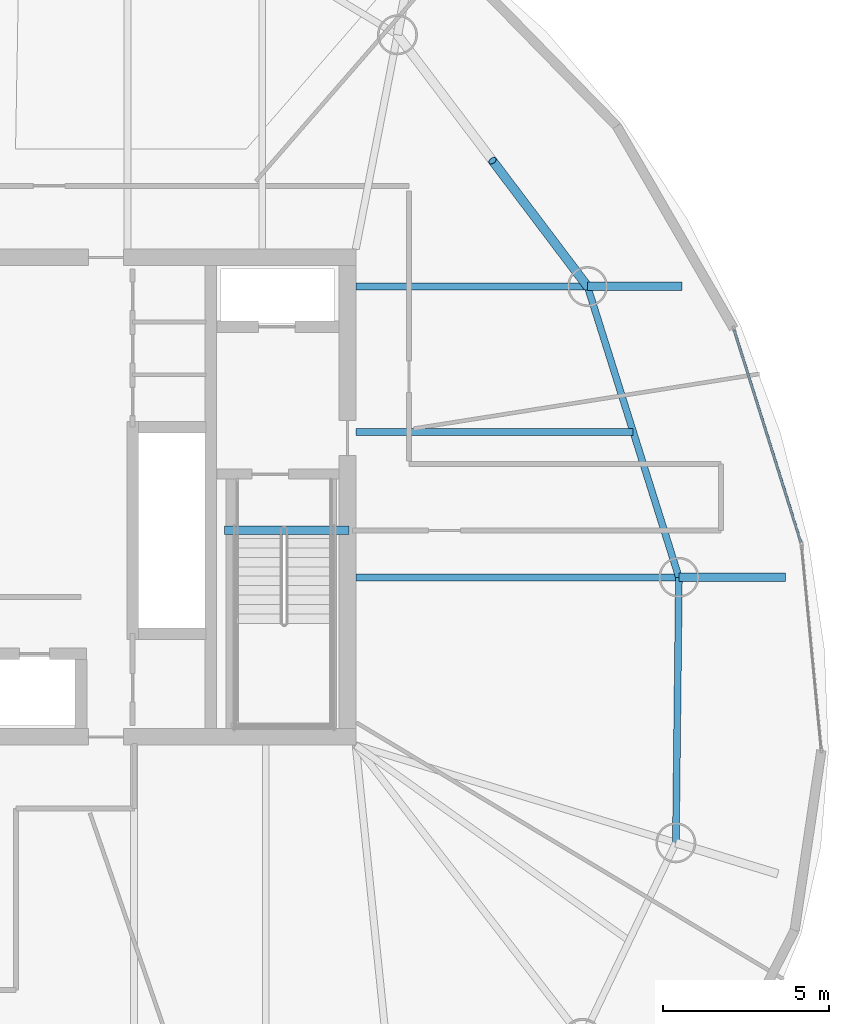
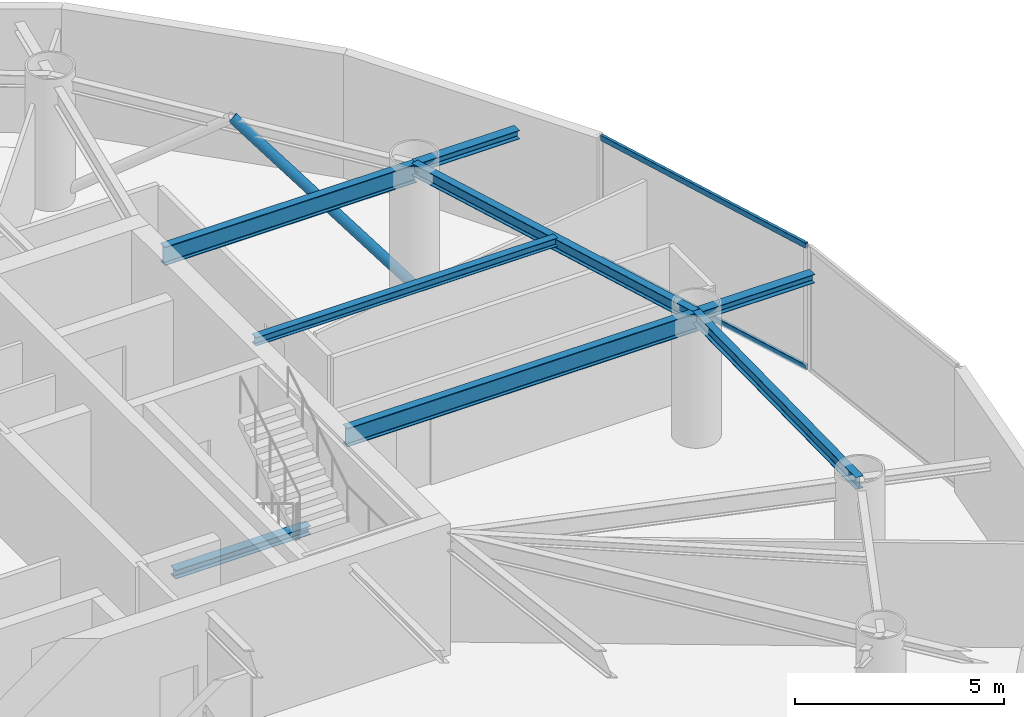
# One storey, part 8 of 18: 8 beams, 3 members, 1 element without a shape of its own.
"""IFC4 building model written with IfcOpenShell, lengths in metres."""

from ifc_helpers import new_model, si_unit, direction, frame, origin, origin_2d, place, context, subcontext, project, spatial, hollow_rectangle, hollow_circle, i_section, extrude, material, layer, layer_set, material_profile, profile_set, type_object, element, aggregate, save


model = new_model("IFC4")

# Units and contexts
model_context = context("Model", 3, precision=1e-05, world=origin(), true_north=direction((0.0, 1.0)))
body_context = subcontext(model_context, "Body", "Model", "MODEL_VIEW")
ifc_project = project(units=[si_unit("LENGTHUNIT", "METRE"), si_unit("AREAUNIT", "SQUARE_METRE"), si_unit("VOLUMEUNIT", "CUBIC_METRE"), si_unit("PLANEANGLEUNIT", "RADIAN"), si_unit("MASSUNIT", "GRAM", prefix="KILO")], contexts=[model_context])

# Site, building, storey
site_placement = place(None, origin())
site = spatial("IfcSite", under=ifc_project, at=site_placement, CompositionType="ELEMENT")
building_placement = place(site_placement, origin())
building = spatial("IfcBuilding", under=site, at=building_placement, Name="Bramvorn Convention Spire", CompositionType="ELEMENT")
storey_placement = place(building_placement, frame((0.0, 0.0, 182.75)))
storey = spatial("IfcBuildingStorey", under=building, at=storey_placement, Name="L46", CompositionType="ELEMENT", Elevation=182.75)

# Beams
ifc_material_1 = material(Name="Steel CSA G40.21 Grade 350 (350W)", Category="steel")
ifc_material_profile_1 = material_profile(ifc_material_1, i_section(OverallWidth=0.201904296875, OverallDepth=0.2470703125, WebThickness=0.00732421875, FlangeThickness=0.010986328125, FilletRadius=0.011962890625, at=origin_2d()))
ifc_profile_set_1 = profile_set([ifc_material_profile_1], Name="Steel CSA G40.21 Grade 350 (350W) - W250X49")
beam_type_1 = type_object("IfcBeamType", Name="BM-W250X49", PredefinedType="JOIST", material=ifc_profile_set_1)
beam_1_placement = place(storey_placement, frame((49.25, 27.960205078125, 3.49658203125), z_axis=(1.0, 0.0, 0.0), x_axis=(0.0, 1.0, 0.0)))
element("IfcBeam", 1, at=beam_1_placement, inside=storey, type_object=beam_type_1, Name="L46 composite floor joist 03", PredefinedType="JOIST", context=body_context, shape_type="SweptSolid", body=[
    extrude(i_section(OverallWidth=0.201904296875, OverallDepth=0.2470703125, WebThickness=0.00732421875, FlangeThickness=0.010986328125, FilletRadius=0.011962890625, at=origin_2d()), origin(), (0.0, 0.0, 1.0), 8.33251953125),
])
ifc_material_profile_2 = material_profile(ifc_material_1, i_section(OverallWidth=0.25390625, OverallDepth=0.2529296875, WebThickness=0.008544921875, FlangeThickness=0.01416015625, FilletRadius=0.011962890625, at=origin_2d()))
ifc_profile_set_2 = profile_set([ifc_material_profile_2], Name="Steel CSA G40.21 Grade 350 (350W) - W250X73")
beam_type_2 = type_object("IfcBeamType", Name="BM-W250X73", PredefinedType="BEAM", material=ifc_profile_set_2)
beam_2_placement = place(storey_placement, frame((58.95458984375, 23.593505859375, 3.493408203125), z_axis=(1.0, 0.0, 0.0), x_axis=(0.0, 1.0, 0.0)))
element("IfcBeam", 2, at=beam_2_placement, inside=storey, type_object=beam_type_2, Name="L46 slab-edge cantilever tip beam MC03", PredefinedType="BEAM", context=body_context, shape_type="SweptSolid", body=[
    extrude(i_section(OverallWidth=0.25390625, OverallDepth=0.2529296875, WebThickness=0.008544921875, FlangeThickness=0.01416015625, FilletRadius=0.011962890625, at=origin_2d()), origin(), (0.0, 0.0, 1.0), 3.2001953125),
])
beam_3_placement = place(storey_placement, frame((56.21044921875, 32.327392578125, 3.493408203125), z_axis=(1.0, 0.0, 0.0), x_axis=(0.0, 1.0, 0.0)))
element("IfcBeam", 3, at=beam_3_placement, inside=storey, type_object=beam_type_2, Name="L46 slab-edge cantilever tip beam MC04", PredefinedType="BEAM", context=body_context, shape_type="SweptSolid", body=[
    extrude(i_section(OverallWidth=0.25390625, OverallDepth=0.2529296875, WebThickness=0.008544921875, FlangeThickness=0.01416015625, FilletRadius=0.011962890625, at=origin_2d()), origin(), (0.0, 0.0, 1.0), 2.833251953125),
])
beam_4_placement = place(storey_placement, frame((45.31005859375, 25.010009765625, -0.12646484375), z_axis=(1.0, 0.0, 0.0), x_axis=(0.0, 1.0, 0.0)))
element("IfcBeam", 4, at=beam_4_placement, inside=storey, type_object=beam_type_2, Name="L46 ST2 stair arrival header beam", PredefinedType="BEAM", context=body_context, shape_type="SweptSolid", body=[
    extrude(i_section(OverallWidth=0.25390625, OverallDepth=0.2529296875, WebThickness=0.008544921875, FlangeThickness=0.01416015625, FilletRadius=0.011962890625, at=origin_2d()), origin(), (0.0, 0.0, 1.0), 3.739990234375),
])
ifc_material_profile_3 = material_profile(ifc_material_1, i_section(OverallWidth=0.205078125, OverallDepth=0.35400390625, WebThickness=0.009521484375, FlangeThickness=0.016845703125, FilletRadius=0.014892578125, at=origin_2d()))
ifc_profile_set_3 = profile_set([ifc_material_profile_3], Name="Steel CSA G40.21 Grade 350 (350W) - W360X79")
beam_type_3 = type_object("IfcBeamType", Name="BM-W360X79", PredefinedType="JOIST", material=ifc_profile_set_3)
beam_5_placement = place(storey_placement, frame((58.863037109375, 15.619384765625, 3.443115234375), z_axis=(0.011480475367, 0.999934097171, 0.0), x_axis=(-0.999934097171, 0.011480475367, 0.0)))
element("IfcBeam", 5, at=beam_5_placement, inside=storey, type_object=beam_type_3, Name="L46 mega-column ring beam 02", PredefinedType="JOIST", context=body_context, shape_type="SweptSolid", body=[
    extrude(i_section(OverallWidth=0.205078125, OverallDepth=0.35400390625, WebThickness=0.009521484375, FlangeThickness=0.016845703125, FilletRadius=0.014892578125, at=origin_2d()), origin(), (0.0, 0.0, 1.0), 7.974609375),
])
beam_6_placement = place(storey_placement, frame((58.95458984375, 23.593505859375, 3.443115234375), z_axis=(-0.299747542929, 0.954018558786, 0.0), x_axis=(-0.954018558786, -0.299747542929, 0.0)))
element("IfcBeam", 6, at=beam_6_placement, inside=storey, type_object=beam_type_3, Name="L46 mega-column ring beam 03", PredefinedType="JOIST", context=body_context, shape_type="SweptSolid", body=[
    extrude(i_section(OverallWidth=0.205078125, OverallDepth=0.35400390625, WebThickness=0.009521484375, FlangeThickness=0.016845703125, FilletRadius=0.014892578125, at=origin_2d()), origin(), (0.0, 0.0, 1.0), 9.15478515625),
])
ifc_material_profile_4 = material_profile(ifc_material_1, i_section(OverallWidth=0.2119140625, OverallDepth=0.5439453125, WebThickness=0.01318359375, FlangeThickness=0.021240234375, FilletRadius=0.01904296875, at=origin_2d()))
ifc_profile_set_4 = profile_set([ifc_material_profile_4], Name="Steel CSA G40.21 Grade 350 (350W) - W530X123")
beam_type_4 = type_object("IfcBeamType", Name="BM-W530X123", PredefinedType="BEAM", material=ifc_profile_set_4)
beam_7_placement = place(storey_placement, frame((49.25, 23.593505859375, 3.347900390625), z_axis=(1.0, 0.0, 0.0), x_axis=(0.0, 1.0, 0.0)))
element("IfcBeam", 7, at=beam_7_placement, inside=storey, type_object=beam_type_4, Name="L46 radial floor girder MC03", PredefinedType="BEAM", context=body_context, shape_type="SweptSolid", body=[
    extrude(i_section(OverallWidth=0.2119140625, OverallDepth=0.5439453125, WebThickness=0.01318359375, FlangeThickness=0.021240234375, FilletRadius=0.01904296875, at=origin_2d()), origin(), (0.0, 0.0, 1.0), 9.70458984375),
])
beam_8_placement = place(storey_placement, frame((49.25, 32.327392578125, 3.347900390625), z_axis=(1.0, 0.0, 0.0), x_axis=(0.0, 1.0, 0.0)))
element("IfcBeam", 8, at=beam_8_placement, inside=storey, type_object=beam_type_4, Name="L46 radial floor girder MC04", PredefinedType="BEAM", context=body_context, shape_type="SweptSolid", body=[
    extrude(i_section(OverallWidth=0.2119140625, OverallDepth=0.5439453125, WebThickness=0.01318359375, FlangeThickness=0.021240234375, FilletRadius=0.01904296875, at=origin_2d()), origin(), (0.0, 0.0, 1.0), 6.96044921875),
])

# Curtain wall, members
ifc_material_2 = material(Name="Anodised Bronze Unitised Curtain Wall", Category="aluminium")
ifc_layer = layer(ifc_material_2, 0.179931640625)
ifc_layer_set = layer_set([ifc_layer], Name="Anodised Bronze Unitised Curtain Wall - CW-OFF-FRIT")
curtain_wall_type = type_object("IfcCurtainWallType", Name="CW-OFF-FRIT", PredefinedType="USERDEFINED", material=ifc_layer_set)
curtain_wall_placement = place(storey_placement, origin())
curtain_wall = element("IfcCurtainWall", 9, at=curtain_wall_placement, inside=storey, type_object=curtain_wall_type, Name="L46 fritted glass curtain wall 04", ObjectType="UNITISED CURTAIN WALL", PredefinedType="USERDEFINED")
ifc_material_3 = material(Name="Anodised Bronze Aluminium 6063-T6", Category="aluminium")
ifc_material_profile_5 = material_profile(ifc_material_3, hollow_rectangle(XDim=0.080078125, YDim=0.159912109375, WallThickness=0.00390625, InnerFilletRadius=0.0009765625, OuterFilletRadius=0.00390625, at=origin_2d()))
ifc_profile_set_5 = profile_set([ifc_material_profile_5], Name="Anodised Bronze Aluminium 6063-T6 - CWT80X160")
member_type_1 = type_object("IfcMemberType", Name="CW-TRN-150", PredefinedType="USERDEFINED", material=ifc_profile_set_5)
member_1_placement = place(storey_placement, frame((60.617431640625, 31.00830078125, 0.030029296875), z_axis=(0.299838979997, -0.953989824932, 0.0), x_axis=(0.953989824932, 0.299838979997, 0.0)))
member_1 = element("IfcMember", 10, at=member_1_placement, type_object=member_type_1, Name="CW3 transom 1.1", ObjectType="TRANSOM", PredefinedType="USERDEFINED", context=body_context, shape_type="SweptSolid", body=[
    extrude(hollow_rectangle(XDim=0.080078125, YDim=0.159912109375, WallThickness=0.00390625, InnerFilletRadius=0.0009765625, OuterFilletRadius=0.00390625, at=origin_2d()), origin(), (0.0, 0.0, 1.0), 6.66455078125),
])
member_2_placement = place(storey_placement, frame((60.617431640625, 31.00830078125, 3.590087890625), z_axis=(0.299838979997, -0.953989824932, 0.0), x_axis=(0.953989824932, 0.299838979997, 0.0)))
member_2 = element("IfcMember", 11, at=member_2_placement, type_object=member_type_1, Name="CW3 transom 1.2", ObjectType="TRANSOM", PredefinedType="USERDEFINED", context=body_context, shape_type="SweptSolid", body=[
    extrude(hollow_rectangle(XDim=0.080078125, YDim=0.159912109375, WallThickness=0.00390625, InnerFilletRadius=0.0009765625, OuterFilletRadius=0.00390625, at=origin_2d()), origin(), (0.0, 0.0, 1.0), 6.66455078125),
])
aggregate(curtain_wall, [member_1, member_2])

# Member
ifc_material_profile_6 = material_profile(ifc_material_1, hollow_circle(Radius=0.136474609375, WallThickness=0.0126953125, at=origin_2d()))
ifc_profile_set_6 = profile_set([ifc_material_profile_6], Name="Steel CSA G40.21 Grade 350 (350W) - CHS273X13")
member_type_2 = type_object("IfcMemberType", Name="MBR-CHS273X13", PredefinedType="BRACE", material=ifc_profile_set_6)
member_3_placement = place(storey_placement, frame((56.21044921875, 32.327392578125, 0.0), z_axis=(-0.478834801206, 0.633941070316, 0.607318658137), x_axis=(-0.797953827999, -0.602718581414, 0.0)))
element("IfcMember", 12, at=member_3_placement, inside=storey, type_object=member_type_2, Name="L46 perimeter Gothic lancet brace 4A", PredefinedType="BRACE", context=body_context, shape_type="SweptSolid", body=[
    extrude(hollow_circle(Radius=0.136474609375, WallThickness=0.0126953125, at=origin_2d()), origin(), (0.0, 0.0, 1.0), 5.9609375),
])

save(model, "model.ifc")
